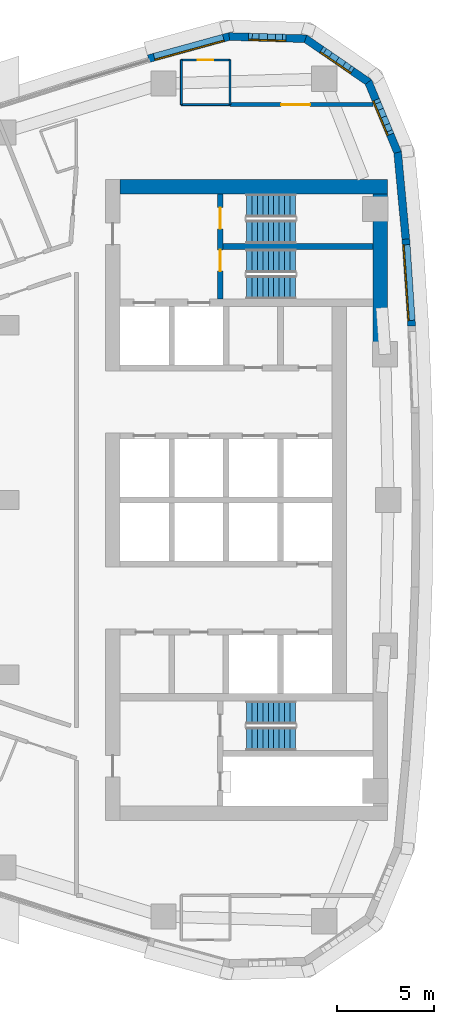
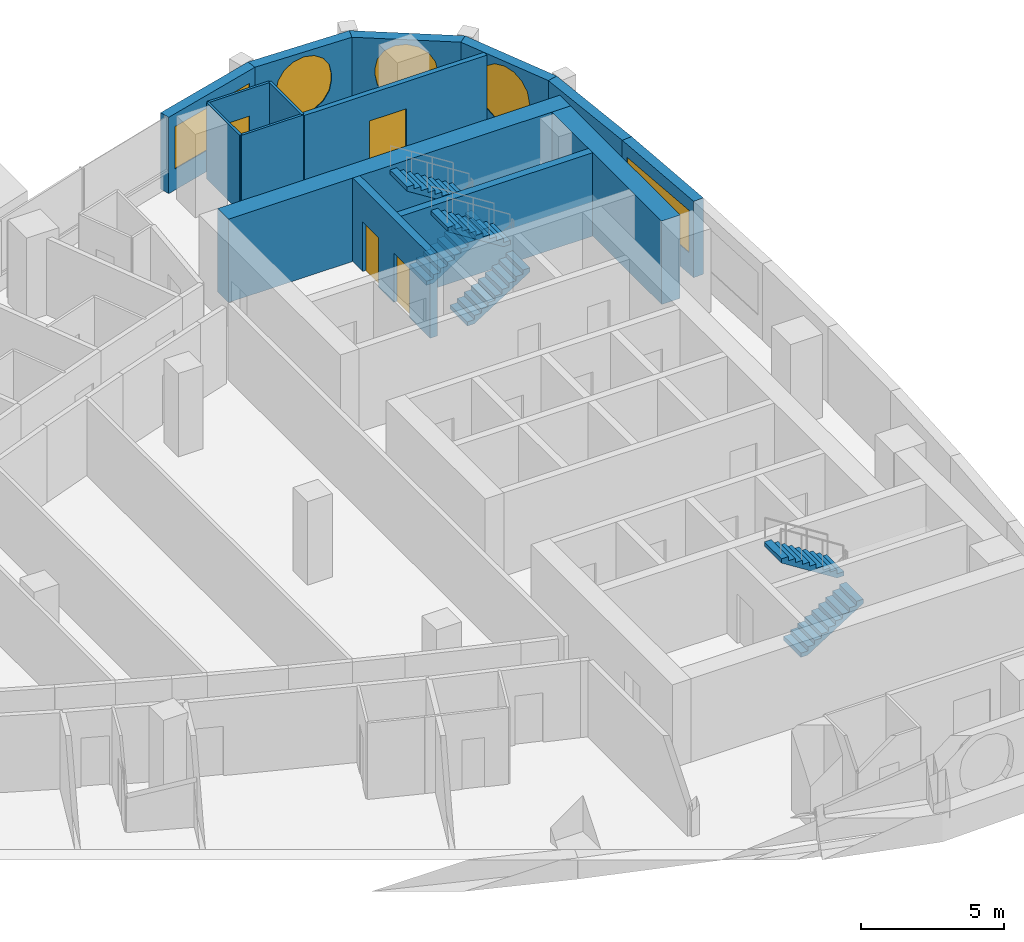
# One storey, part 13 of 17: 15 walls, 6 stair flights, 5 windows, 4 doors, 9 openings, 3 elements without a shape of their own.
"""IFC4 building model written with IfcOpenShell, lengths in metres."""

from ifc_helpers import new_model, si_unit, direction, frame, frame_2d, origin, place, context, subcontext, project, spatial, polyline, rectangle, outline, extrude, material, layer, layer_set, type_object, element, fill, aggregate, save


model = new_model("IFC4")

# Units and contexts
model_context = context("Model", 3, precision=1e-05, world=origin(), true_north=direction((0.0, 1.0)))
body_context = subcontext(model_context, "Body", "Model", "MODEL_VIEW")
ifc_project = project(units=[si_unit("LENGTHUNIT", "METRE"), si_unit("AREAUNIT", "SQUARE_METRE"), si_unit("VOLUMEUNIT", "CUBIC_METRE"), si_unit("PLANEANGLEUNIT", "RADIAN"), si_unit("MASSUNIT", "GRAM", prefix="KILO")], contexts=[model_context])

# Site, building, storey
site_placement = place(None, origin())
site = spatial("IfcSite", under=ifc_project, at=site_placement, CompositionType="ELEMENT")
building_placement = place(site_placement, origin())
building = spatial("IfcBuilding", under=site, at=building_placement, Name="Ostrand Prow Hotel Tower", CompositionType="ELEMENT")
storey_placement = place(building_placement, frame((0.0, 0.0, 203.89990234375)))
storey = spatial("IfcBuildingStorey", under=building, at=storey_placement, Name="L51", CompositionType="ELEMENT", Elevation=203.89990234375)

# Wall, openings, doors
ifc_material_1 = material(Name="Concrete C60/75", Category="concrete")
ifc_layer_1 = layer(ifc_material_1, 0.300048828125)
ifc_layer_set_1 = layer_set([ifc_layer_1], Name="Concrete C60/75")
wall_type_1 = type_object("IfcWallType", Name="Core wall 300 C60/75", PredefinedType="SHEAR", material=ifc_layer_set_1)
wall_1_placement = place(storey_placement, frame((55.85009765625, 10.35009765625, 0.0), z_axis=(0.0, 0.0, 1.0), x_axis=(0.0, 1.0, 0.0)))
wall_1 = element("IfcWall", 1, at=wall_1_placement, inside=storey, type_object=wall_type_1, Name="Core wall PW-VN", PredefinedType="SHEAR", context=body_context, shape_type="SweptSolid", body=[
    extrude(rectangle(XDim=5.39990234375, YDim=0.300048828125, at=frame_2d((2.699951171875, 0.0))), origin(), (0.0, 0.0, 1.0), 3.550048828125),
])
opening_1_placement = place(wall_1_placement, frame((1.429931640625, 0.0, 0.0)))
opening_1 = element("IfcOpeningElement", 2, at=opening_1_placement, cuts=wall_1, Name="Opening FD1", PredefinedType="OPENING", context=body_context, shape_type="SweptSolid", body=[
    extrude(rectangle(XDim=1.10009765625, YDim=2.10009765625, at=frame_2d((0.550048828125, 1.050048828125))), frame((0.0, 0.159912109375, 0.0), z_axis=(0.0, -1.0, 0.0), x_axis=(1.0, 0.0, 0.0)), (0.0, 0.0, 1.0), 0.320068359375),
])
opening_2_placement = place(wall_1_placement, frame((3.60009765625, 0.0, 0.0)))
opening_2 = element("IfcOpeningElement", 3, at=opening_2_placement, cuts=wall_1, Name="Opening FD1", PredefinedType="OPENING", context=body_context, shape_type="SweptSolid", body=[
    extrude(rectangle(XDim=1.10009765625, YDim=2.10009765625, at=frame_2d((0.550048828125, 1.050048828125))), frame((0.0, 0.159912109375, 0.0), z_axis=(0.0, -1.0, 0.0), x_axis=(1.0, 0.0, 0.0)), (0.0, 0.0, 1.0), 0.320068359375),
])
ifc_material_2 = material(Name="Steel fire door", Category="steel")
door_type_1 = type_object("IfcDoorType", Name="Fire door 1100 EI120", OperationType="SINGLE_SWING_RIGHT", PredefinedType="DOOR", material=ifc_material_2)
door_1_placement = place(opening_1_placement, origin())
door_1 = element("IfcDoor", 4, at=door_1_placement, inside=storey, type_object=door_type_1, Name="FIRE DOOR", OperationType="SINGLE_SWING_RIGHT", OverallHeight=2.10009765625, OverallWidth=1.10009765625, PredefinedType="DOOR", context=body_context, shape_type="SweptSolid", body=[
    extrude(rectangle(XDim=1.10009765625, YDim=2.10009765625, at=frame_2d((0.550048828125, 1.050048828125))), frame((0.0, 0.02490234375, 0.0), z_axis=(0.0, -1.0, 0.0), x_axis=(1.0, 0.0, 0.0)), (0.0, 0.0, 1.0), 0.050048828125),
])
fill(opening_1, door_1)
door_2_placement = place(opening_2_placement, origin())
door_2 = element("IfcDoor", 5, at=door_2_placement, inside=storey, type_object=door_type_1, Name="FIRE DOOR", OperationType="SINGLE_SWING_RIGHT", OverallHeight=2.10009765625, OverallWidth=1.10009765625, PredefinedType="DOOR", context=body_context, shape_type="SweptSolid", body=[
    extrude(rectangle(XDim=1.10009765625, YDim=2.10009765625, at=frame_2d((0.550048828125, 1.050048828125))), frame((0.0, 0.02490234375, 0.0), z_axis=(0.0, -1.0, 0.0), x_axis=(1.0, 0.0, 0.0)), (0.0, 0.0, 1.0), 0.050048828125),
])
fill(opening_2, door_2)

# Walls
wall_2_placement = place(storey_placement, frame((56.0, 13.050048828125, 0.0), z_axis=(0.0, 0.0, 1.0), x_axis=(1.0, 0.0, 0.0)))
element("IfcWall", 6, at=wall_2_placement, inside=storey, type_object=wall_type_1, Name="Core wall PW-ST13", PredefinedType="SHEAR", context=body_context, shape_type="SweptSolid", body=[
    extrude(rectangle(XDim=7.719970703125, YDim=0.300048828125, at=frame_2d((3.85986328125, 0.0))), origin(), (0.0, 0.0, 1.0), 3.550048828125),
])
ifc_material_3 = material(Name="Concrete C60/75", Category="concrete")
ifc_layer_2 = layer(ifc_material_3, 0.75)
ifc_layer_set_2 = layer_set([ifc_layer_2], Name="Concrete C60/75")
wall_type_2 = type_object("IfcWallType", Name="Core wall 750 C60/75", PredefinedType="SHEAR", material=ifc_layer_set_2)
wall_3_placement = place(storey_placement, frame((50.699951171875, 16.125, 0.0), z_axis=(0.0, 0.0, 1.0), x_axis=(1.0, 0.0, 0.0)))
element("IfcWall", 7, at=wall_3_placement, inside=storey, type_object=wall_type_2, Name="Core wall CW-N", PredefinedType="SHEAR", context=body_context, shape_type="SweptSolid", body=[
    extrude(rectangle(XDim=13.77001953125, YDim=0.75, at=frame_2d((6.885009765625, 0.0))), origin(), (0.0, 0.0, 1.0), 3.550048828125),
])
wall_4_placement = place(storey_placement, frame((64.094970703125, 8.09912109375, 0.0), z_axis=(0.0, 0.0, 1.0), x_axis=(0.0, 1.0, 0.0)))
element("IfcWall", 8, at=wall_4_placement, inside=storey, type_object=wall_type_2, Name="Core wall CW-E-N", PredefinedType="SHEAR", context=body_context, shape_type="SweptSolid", body=[
    extrude(rectangle(XDim=7.65087890625, YDim=0.75, at=frame_2d((3.825439453125, 0.0))), origin(), (0.0, 0.0, 1.0), 3.550048828125),
])

# Wall, opening, door
ifc_material_4 = material(Name="Plasterboard partition")
ifc_layer_3 = layer(ifc_material_4, 0.10009765625)
ifc_layer_set_3 = layer_set([ifc_layer_3], Name="Plasterboard partition")
wall_type_3 = type_object("IfcWallType", Name="Partition 100 bathroom wall", PredefinedType="PARTITIONING", material=ifc_layer_set_3)
wall_5_placement = place(storey_placement, frame((53.85009765625, 22.64990234375, 0.0), z_axis=(0.0, 0.0, 1.0), x_axis=(1.0, 0.0, 0.0)))
wall_5 = element("IfcWall", 9, at=wall_5_placement, inside=storey, type_object=wall_type_3, Name="BATHROOM WALL", PredefinedType="PARTITIONING", context=body_context, shape_type="SweptSolid", body=[
    extrude(rectangle(XDim=2.5, YDim=0.10009765625, at=frame_2d((1.25, 0.0))), origin(), (0.0, 0.0, 1.0), 3.25),
])
opening_3_placement = place(wall_5_placement, frame((0.85009765625, 0.0, 0.0)))
opening_3 = element("IfcOpeningElement", 10, at=opening_3_placement, cuts=wall_5, Name="Opening D2", PredefinedType="OPENING", context=body_context, shape_type="SweptSolid", body=[
    extrude(rectangle(XDim=0.800048828125, YDim=2.10009765625, at=frame_2d((0.39990234375, 1.050048828125))), frame((0.0, 0.06005859375, 0.0), z_axis=(0.0, -1.0, 0.0), x_axis=(1.0, 0.0, 0.0)), (0.0, 0.0, 1.0), 0.1201171875),
])
ifc_material_5 = material(Name="Timber door leaf", Category="wood")
door_type_2 = type_object("IfcDoorType", Name="Bathroom door 800", OperationType="SINGLE_SWING_LEFT", PredefinedType="DOOR", material=ifc_material_5)
door_3_placement = place(opening_3_placement, origin())
door_3 = element("IfcDoor", 11, at=door_3_placement, inside=storey, type_object=door_type_2, Name="DOOR", OperationType="SINGLE_SWING_LEFT", OverallHeight=2.10009765625, OverallWidth=0.800048828125, PredefinedType="DOOR", context=body_context, shape_type="SweptSolid", body=[
    extrude(rectangle(XDim=0.800048828125, YDim=2.10009765625, at=frame_2d((0.39990234375, 1.050048828125))), frame((0.0, 0.02490234375, 0.0), z_axis=(0.0, -1.0, 0.0), x_axis=(1.0, 0.0, 0.0)), (0.0, 0.0, 1.0), 0.050048828125),
])
fill(opening_3, door_3)

# Walls
for number, where, z_axis, x_axis, name in (
    (12, (56.35009765625, 22.64990234375, 0.0), (0.0, 0.0, 1.0), (0.0, -1.0, 0.0), "BATHROOM WALL"),
    (13, (53.85009765625, 20.35009765625, 0.0), (0.0, 0.0, 1.0), (0.0, 1.0, 0.0), "BATHROOM WALL"),
):
    element("IfcWall", number, at=place(storey_placement, frame(where, z_axis=z_axis, x_axis=x_axis)), inside=storey, type_object=wall_type_3, Name=name, PredefinedType="PARTITIONING", context=body_context, shape_type="SweptSolid", body=[
        extrude(rectangle(XDim=2.2998046875, YDim=0.10009765625, at=frame_2d((1.14990234375, 0.0))), origin(), (0.0, 0.0, 1.0), 3.25),
    ])
wall_6_placement = place(storey_placement, frame((56.35009765625, 20.35498046875, 0.0), z_axis=(0.0, 0.0, 1.0), x_axis=(-1.0, 0.0, 0.0)))
element("IfcWall", 14, at=wall_6_placement, inside=storey, type_object=wall_type_3, Name="BATHROOM WALL", PredefinedType="PARTITIONING", context=body_context, shape_type="SweptSolid", body=[
    extrude(rectangle(XDim=2.5, YDim=0.10009765625, at=frame_2d((1.25, 0.0))), origin(), (0.0, 0.0, 1.0), 3.25),
])

# Wall, opening, door
ifc_material_6 = material(Name="Plasterboard partition")
ifc_layer_4 = layer(ifc_material_6, 0.199951171875)
ifc_layer_set_4 = layer_set([ifc_layer_4], Name="Plasterboard partition")
wall_type_4 = type_object("IfcWallType", Name="Partition 200 corridor wall", PredefinedType="PARTITIONING", material=ifc_layer_set_4)
wall_7_placement = place(storey_placement, frame((63.70947265625, 20.35498046875, 0.0), z_axis=(0.0, 0.0, 1.0), x_axis=(-1.0, 0.0, 0.0)))
wall_7 = element("IfcWall", 15, at=wall_7_placement, inside=storey, type_object=wall_type_4, Name="CORRIDOR WALL", PredefinedType="PARTITIONING", context=body_context, shape_type="SweptSolid", body=[
    extrude(rectangle(XDim=7.3544921875, YDim=0.199951171875, at=frame_2d((3.67724609375, 0.0))), origin(), (0.0, 0.0, 1.0), 3.25),
])
opening_4_placement = place(wall_7_placement, frame((3.230712890625, 0.0, 0.0)))
opening_4 = element("IfcOpeningElement", 16, at=opening_4_placement, cuts=wall_7, Name="Opening D15", PredefinedType="OPENING", context=body_context, shape_type="SweptSolid", body=[
    extrude(rectangle(XDim=1.5, YDim=2.10009765625, at=frame_2d((0.75, 1.050048828125))), frame((0.0, 0.10986328125, 0.0), z_axis=(0.0, -1.0, 0.0), x_axis=(1.0, 0.0, 0.0)), (0.0, 0.0, 1.0), 0.219970703125),
])
ifc_material_7 = material(Name="Timber door leaf", Category="wood")
door_type_3 = type_object("IfcDoorType", Name="Double door 1500", OperationType="DOUBLE_DOOR_SINGLE_SWING", PredefinedType="DOOR", material=ifc_material_7)
door_4_placement = place(opening_4_placement, origin())
door_4 = element("IfcDoor", 17, at=door_4_placement, inside=storey, type_object=door_type_3, Name="DOOR", OperationType="DOUBLE_DOOR_SINGLE_SWING", OverallHeight=2.10009765625, OverallWidth=1.5, PredefinedType="DOOR", context=body_context, shape_type="SweptSolid", body=[
    extrude(rectangle(XDim=1.5, YDim=2.10009765625, at=frame_2d((0.75, 1.050048828125))), frame((0.0, 0.02490234375, 0.0), z_axis=(0.0, -1.0, 0.0), x_axis=(1.0, 0.0, 0.0)), (0.0, 0.0, 1.0), 0.050048828125),
])
fill(opening_4, door_4)

# Wall, opening, window
ifc_material_8 = material(Name="Precast concrete C40/50", Category="concrete")
ifc_layer_5 = layer(ifc_material_8, 0.39990234375)
ifc_layer_set_5 = layer_set([ifc_layer_5], Name="Precast concrete C40/50")
wall_type_5 = type_object("IfcWallType", Name="Stone-faced precast wall 400 mm", PredefinedType="NOTDEFINED", material=ifc_layer_set_5)
wall_8_placement = place(storey_placement, frame((65.700439453125, 8.957763671875, 0.0), z_axis=(0.0, 0.0, 1.0), x_axis=(-0.066905935948, 0.997759287471, 0.0)))
wall_8 = element("IfcWall", 18, at=wall_8_placement, inside=storey, type_object=wall_type_5, Name="Stone-faced wall back 11", PredefinedType="NOTDEFINED", context=body_context, shape_type="SweptSolid", body=[
    extrude(outline(polyline([(-0.002685546875, -0.199951171875), (4.483642578125, -0.199951171875), (4.478271484375, 0.199951171875), (0.002685546875, 0.199951171875), (-0.002685546875, -0.199951171875)])), origin(), (0.0, 0.0, 1.0), 3.25),
])
opening_5_placement = place(wall_8_placement, frame((0.290283203125, 0.0, 0.89990234375)))
opening_5 = element("IfcOpeningElement", 19, at=opening_5_placement, cuts=wall_8, Name="Opening WS3-39", PredefinedType="OPENING", context=body_context, shape_type="SweptSolid", body=[
    extrude(rectangle(XDim=3.89990234375, YDim=1.800048828125, at=frame_2d((1.949951171875, 0.89990234375))), frame((0.0, 0.2099609375, 0.0), z_axis=(0.0, -1.0, 0.0), x_axis=(1.0, 0.0, 0.0)), (0.0, 0.0, 1.0), 0.419921875),
])
ifc_material_9 = material(Name="Insulated glass in bronze frame", Category="glass")
window_type_1 = type_object("IfcWindowType", Name="Strip window 3900x1800", PartitioningType="SINGLE_PANEL", PredefinedType="WINDOW", material=ifc_material_9)
window_1_placement = place(opening_5_placement, origin())
window_1 = element("IfcWindow", 20, at=window_1_placement, inside=storey, type_object=window_type_1, Name="Window back 11.1", OverallHeight=1.800048828125, OverallWidth=3.89990234375, PartitioningType="SINGLE_PANEL", PredefinedType="WINDOW", context=body_context, shape_type="SweptSolid", body=[
    extrude(rectangle(XDim=3.89990234375, YDim=1.800048828125, at=frame_2d((1.949951171875, 0.89990234375))), frame((0.0, 0.169921875, 0.0), z_axis=(0.0, -1.0, 0.0), x_axis=(1.0, 0.0, 0.0)), (0.0, 0.0, 1.0), 0.06005859375),
])
fill(opening_5, window_1)

# Wall
wall_9_placement = place(storey_placement, frame((65.400634765625, 13.4287109375, 0.0), z_axis=(0.0, 0.0, 1.0), x_axis=(-0.093605694738, 0.995609348044, 0.0)))
element("IfcWall", 21, at=wall_9_placement, inside=storey, type_object=wall_type_5, Name="Stone-faced wall back 12", PredefinedType="NOTDEFINED", context=body_context, shape_type="SweptSolid", body=[
    extrude(outline(polyline([(-0.002685546875, -0.199951171875), (4.51123046875, -0.199951171875), (4.45068359375, 0.199951171875), (0.002685546875, 0.199951171875), (-0.002685546875, -0.199951171875)])), origin(), (0.0, 0.0, 1.0), 3.25),
])

# Wall, opening, window
wall_10_placement = place(storey_placement, frame((64.981201171875, 17.889892578125, 0.0), z_axis=(0.0, 0.0, 1.0), x_axis=(-0.383997619794, 0.923334082547, 0.0)))
wall_10 = element("IfcWall", 22, at=wall_10_placement, inside=storey, type_object=wall_type_5, Name="Stone-faced wall back 13", PredefinedType="NOTDEFINED", context=body_context, shape_type="SweptSolid", body=[
    extrude(outline(polyline([(-0.0302734375, -0.199951171875), (3.98828125, -0.199951171875), (3.8701171875, 0.199951171875), (0.0302734375, 0.199951171875), (-0.0302734375, -0.199951171875)])), origin(), (0.0, 0.0, 1.0), 3.25),
])
opening_6_placement = place(wall_10_placement, frame((0.864501953125, 0.0, 0.60009765625)))
opening_6 = element("IfcOpeningElement", 23, at=opening_6_placement, cuts=wall_10, Name="Opening WP1", PredefinedType="OPENING", context=body_context, shape_type="SweptSolid", body=[
    extrude(outline(polyline([(0.0, 1.35009765625), (0.083740234375, 1.77099609375), (0.322265625, 2.127685546875), (0.678955078125, 2.3662109375), (1.10009765625, 2.449951171875), (1.52099609375, 2.3662109375), (1.877685546875, 2.127685546875), (2.1162109375, 1.77099609375), (2.199951171875, 1.35009765625), (2.199951171875, 1.10009765625), (2.1162109375, 0.678955078125), (1.877685546875, 0.322265625), (1.52099609375, 0.083740234375), (1.10009765625, 0.0), (0.678955078125, 0.083740234375), (0.322265625, 0.322265625), (0.083740234375, 0.678955078125), (0.0, 1.099853515625), (0.0, 1.35009765625)])), frame((0.0, 0.2099609375, 0.0), z_axis=(0.0, -1.0, 0.0), x_axis=(1.0, 0.0, 0.0)), (0.0, 0.0, 1.0), 0.419921875),
])
ifc_material_10 = material(Name="Insulated glass in bronze frame", Category="glass")
window_type_2 = type_object("IfcWindowType", Name="Round-ended prow window 2200x2450", PartitioningType="SINGLE_PANEL", PredefinedType="WINDOW", material=ifc_material_10)
window_2_placement = place(opening_6_placement, origin())
window_2 = element("IfcWindow", 24, at=window_2_placement, inside=storey, type_object=window_type_2, Name="Window back 13.1", OverallHeight=2.449951171875, OverallWidth=2.199951171875, PartitioningType="SINGLE_PANEL", PredefinedType="WINDOW", context=body_context, shape_type="SweptSolid", body=[
    extrude(outline(polyline([(0.0, 1.35009765625), (0.083740234375, 1.77099609375), (0.322265625, 2.127685546875), (0.678955078125, 2.3662109375), (1.10009765625, 2.449951171875), (1.52099609375, 2.3662109375), (1.877685546875, 2.127685546875), (2.1162109375, 1.77099609375), (2.199951171875, 1.35009765625), (2.199951171875, 1.10009765625), (2.1162109375, 0.678955078125), (1.877685546875, 0.322265625), (1.52099609375, 0.083740234375), (1.10009765625, 0.0), (0.678955078125, 0.083740234375), (0.322265625, 0.322265625), (0.083740234375, 0.678955078125), (0.0, 1.099853515625), (0.0, 1.35009765625)])), frame((0.0, 0.169921875, 0.0), z_axis=(0.0, -1.0, 0.0), x_axis=(1.0, 0.0, 0.0)), (0.0, 0.0, 1.0), 0.06005859375),
])
fill(opening_6, window_2)

wall_11_placement = place(storey_placement, frame((63.472412109375, 21.517822265625, 0.0), z_axis=(0.0, 0.0, 1.0), x_axis=(-0.823806162588, 0.566871596115, 0.0)))
wall_11 = element("IfcWall", 25, at=wall_11_placement, inside=storey, type_object=wall_type_5, Name="Stone-faced wall back 14", PredefinedType="NOTDEFINED", context=body_context, shape_type="SweptSolid", body=[
    extrude(outline(polyline([(-0.05908203125, -0.199951171875), (3.98828125, -0.199951171875), (3.8701171875, 0.199951171875), (0.05908203125, 0.199951171875), (-0.05908203125, -0.199951171875)])), origin(), (0.0, 0.0, 1.0), 3.25),
])
opening_7_placement = place(wall_11_placement, frame((0.864501953125, 0.0, 0.60009765625)))
opening_7 = element("IfcOpeningElement", 26, at=opening_7_placement, cuts=wall_11, Name="Opening WP1", PredefinedType="OPENING", context=body_context, shape_type="SweptSolid", body=[
    extrude(outline(polyline([(0.0, 1.35009765625), (0.083740234375, 1.77099609375), (0.322265625, 2.127685546875), (0.678955078125, 2.3662109375), (1.10009765625, 2.449951171875), (1.52099609375, 2.3662109375), (1.877685546875, 2.127685546875), (2.1162109375, 1.77099609375), (2.199951171875, 1.35009765625), (2.199951171875, 1.10009765625), (2.1162109375, 0.678955078125), (1.877685546875, 0.322265625), (1.52099609375, 0.083740234375), (1.10009765625, 0.0), (0.678955078125, 0.083740234375), (0.322265625, 0.322265625), (0.083740234375, 0.678955078125), (0.0, 1.099853515625), (0.0, 1.35009765625)])), frame((0.0, 0.2099609375, 0.0), z_axis=(0.0, -1.0, 0.0), x_axis=(1.0, 0.0, 0.0)), (0.0, 0.0, 1.0), 0.419921875),
])
window_3_placement = place(opening_7_placement, origin())
window_3 = element("IfcWindow", 27, at=window_3_placement, inside=storey, type_object=window_type_2, Name="Window back 14.1", OverallHeight=2.449951171875, OverallWidth=2.199951171875, PartitioningType="SINGLE_PANEL", PredefinedType="WINDOW", context=body_context, shape_type="SweptSolid", body=[
    extrude(outline(polyline([(0.0, 1.35009765625), (0.083740234375, 1.77099609375), (0.322265625, 2.127685546875), (0.678955078125, 2.3662109375), (1.10009765625, 2.449951171875), (1.52099609375, 2.3662109375), (1.877685546875, 2.127685546875), (2.1162109375, 1.77099609375), (2.199951171875, 1.35009765625), (2.199951171875, 1.10009765625), (2.1162109375, 0.678955078125), (1.877685546875, 0.322265625), (1.52099609375, 0.083740234375), (1.10009765625, 0.0), (0.678955078125, 0.083740234375), (0.322265625, 0.322265625), (0.083740234375, 0.678955078125), (0.0, 1.099853515625), (0.0, 1.35009765625)])), frame((0.0, 0.169921875, 0.0), z_axis=(0.0, -1.0, 0.0), x_axis=(1.0, 0.0, 0.0)), (0.0, 0.0, 1.0), 0.06005859375),
])
fill(opening_7, window_3)

wall_12_placement = place(storey_placement, frame((60.235595703125, 23.7451171875, 0.0), z_axis=(0.0, 0.0, 1.0), x_axis=(-0.999587920197, 0.028705222472, 0.0)))
wall_12 = element("IfcWall", 28, at=wall_12_placement, inside=storey, type_object=wall_type_5, Name="Stone-faced wall back 15", PredefinedType="NOTDEFINED", context=body_context, shape_type="SweptSolid", body=[
    extrude(outline(polyline([(-0.05908203125, -0.199951171875), (3.959228515625, -0.199951171875), (3.899658203125, 0.199951171875), (0.05908203125, 0.199951171875), (-0.05908203125, -0.199951171875)])), origin(), (0.0, 0.0, 1.0), 3.25),
])
opening_8_placement = place(wall_12_placement, frame((0.864501953125, 0.0, 0.60009765625)))
opening_8 = element("IfcOpeningElement", 29, at=opening_8_placement, cuts=wall_12, Name="Opening WP1", PredefinedType="OPENING", context=body_context, shape_type="SweptSolid", body=[
    extrude(outline(polyline([(0.0, 1.35009765625), (0.083740234375, 1.77099609375), (0.322265625, 2.127685546875), (0.678955078125, 2.3662109375), (1.10009765625, 2.449951171875), (1.52099609375, 2.3662109375), (1.877685546875, 2.127685546875), (2.1162109375, 1.77099609375), (2.199951171875, 1.35009765625), (2.199951171875, 1.10009765625), (2.1162109375, 0.678955078125), (1.877685546875, 0.322265625), (1.52099609375, 0.083740234375), (1.10009765625, 0.0), (0.678955078125, 0.083740234375), (0.322265625, 0.322265625), (0.083740234375, 0.678955078125), (0.0, 1.099853515625), (0.0, 1.35009765625)])), frame((0.0, 0.2099609375, 0.0), z_axis=(0.0, -1.0, 0.0), x_axis=(1.0, 0.0, 0.0)), (0.0, 0.0, 1.0), 0.419921875),
])
window_4_placement = place(opening_8_placement, origin())
window_4 = element("IfcWindow", 30, at=window_4_placement, inside=storey, type_object=window_type_2, Name="Window back 15.1", OverallHeight=2.449951171875, OverallWidth=2.199951171875, PartitioningType="SINGLE_PANEL", PredefinedType="WINDOW", context=body_context, shape_type="SweptSolid", body=[
    extrude(outline(polyline([(0.0, 1.35009765625), (0.083740234375, 1.77099609375), (0.322265625, 2.127685546875), (0.678955078125, 2.3662109375), (1.10009765625, 2.449951171875), (1.52099609375, 2.3662109375), (1.877685546875, 2.127685546875), (2.1162109375, 1.77099609375), (2.199951171875, 1.35009765625), (2.199951171875, 1.10009765625), (2.1162109375, 0.678955078125), (1.877685546875, 0.322265625), (1.52099609375, 0.083740234375), (1.10009765625, 0.0), (0.678955078125, 0.083740234375), (0.322265625, 0.322265625), (0.083740234375, 0.678955078125), (0.0, 1.099853515625), (0.0, 1.35009765625)])), frame((0.0, 0.169921875, 0.0), z_axis=(0.0, -1.0, 0.0), x_axis=(1.0, 0.0, 0.0)), (0.0, 0.0, 1.0), 0.06005859375),
])
fill(opening_8, window_4)

wall_13_placement = place(storey_placement, frame((56.307861328125, 23.85791015625, 0.0), z_axis=(0.0, 0.0, 1.0), x_axis=(-0.964205755089, -0.265155165617, 0.0)))
wall_13 = element("IfcWall", 31, at=wall_13_placement, inside=storey, type_object=wall_type_5, Name="Stone-faced wall back 16", PredefinedType="NOTDEFINED", context=body_context, shape_type="SweptSolid", body=[
    extrude(outline(polyline([(-0.02978515625, -0.199951171875), (4.30712890625, -0.199951171875), (4.30712890625, 0.199951171875), (0.02978515625, 0.199951171875), (-0.02978515625, -0.199951171875)])), origin(), (0.0, 0.0, 1.0), 3.25),
])
opening_9_placement = place(wall_13_placement, frame((0.303466796875, 0.0, 0.89990234375)))
opening_9 = element("IfcOpeningElement", 32, at=opening_9_placement, cuts=wall_13, Name="Opening WS3-37", PredefinedType="OPENING", context=body_context, shape_type="SweptSolid", body=[
    extrude(rectangle(XDim=3.699951171875, YDim=1.800048828125, at=frame_2d((1.85009765625, 0.89990234375))), frame((0.0, 0.2099609375, 0.0), z_axis=(0.0, -1.0, 0.0), x_axis=(1.0, 0.0, 0.0)), (0.0, 0.0, 1.0), 0.419921875),
])
ifc_material_11 = material(Name="Insulated glass in bronze frame", Category="glass")
window_type_3 = type_object("IfcWindowType", Name="Strip window 3700x1800", PartitioningType="SINGLE_PANEL", PredefinedType="WINDOW", material=ifc_material_11)
window_5_placement = place(opening_9_placement, origin())
window_5 = element("IfcWindow", 33, at=window_5_placement, inside=storey, type_object=window_type_3, Name="Window back 16.1", OverallHeight=1.800048828125, OverallWidth=3.699951171875, PartitioningType="SINGLE_PANEL", PredefinedType="WINDOW", context=body_context, shape_type="SweptSolid", body=[
    extrude(rectangle(XDim=3.699951171875, YDim=1.800048828125, at=frame_2d((1.85009765625, 0.89990234375))), frame((0.0, 0.169921875, 0.0), z_axis=(0.0, -1.0, 0.0), x_axis=(1.0, 0.0, 0.0)), (0.0, 0.0, 1.0), 0.06005859375),
])
fill(opening_9, window_5)

# Stair, stair flights
ifc_material_12 = material(Name="Concrete C40/50", Category="concrete")
stair_type = type_object("IfcStairType", Name="Exit stair 1200 upper zone", PredefinedType="HALF_TURN_STAIR", material=ifc_material_12)
stair_1_placement = place(storey_placement, origin())
stair_1 = element("IfcStair", 34, at=stair_1_placement, inside=storey, type_object=stair_type, Name="L51 ST1C", PredefinedType="HALF_TURN_STAIR")
ifc_material_13 = material(Name="Concrete C40/50", Category="concrete")
stair_flight_type = type_object("IfcStairFlightType", Name="Stair flight 1200 concrete", PredefinedType="STRAIGHT", material=ifc_material_13)
stair_flight_1_placement = place(storey_placement, frame((57.199951171875, 10.949951171875, 0.0), z_axis=(0.0, 0.0, 1.0), x_axis=(1.0, 0.0, 0.0)))
stair_flight_1 = element("IfcStairFlight", 35, at=stair_flight_1_placement, type_object=stair_flight_type, Name="ST1C flight 1", NumberOfRisers=10, NumberOfTreads=9, PredefinedType="STRAIGHT", RiserHeight=0.1775, TreadLength=0.28, context=body_context, shape_type="SweptSolid", body=[
    extrude(outline(polyline([(0.0, 0.0), (0.0, 0.177490234375), (0.280029296875, 0.177490234375), (0.280029296875, 0.35498046875), (0.56005859375, 0.35498046875), (0.56005859375, 0.532470703125), (0.840087890625, 0.532470703125), (0.840087890625, 0.7099609375), (1.1201171875, 0.7099609375), (1.1201171875, 0.887451171875), (1.39990234375, 0.887451171875), (1.39990234375, 1.06494140625), (1.679931640625, 1.06494140625), (1.679931640625, 1.242431640625), (1.9599609375, 1.242431640625), (1.9599609375, 1.419921875), (2.239990234375, 1.419921875), (2.239990234375, 1.597412109375), (2.52001953125, 1.597412109375), (2.52001953125, 1.77490234375), (2.52001953125, 1.419921875), (0.280029296875, 0.0), (0.0, 0.0)])), frame((0.0, 0.60009765625, 0.0), z_axis=(0.0, -1.0, 0.0), x_axis=(1.0, 0.0, 0.0)), (0.0, 0.0, 1.0), 1.199951171875),
])
stair_flight_2_placement = place(storey_placement, frame((59.719970703125, 12.300048828125, 1.775146484375), z_axis=(0.0, 0.0, 1.0), x_axis=(-1.0, 0.0, 0.0)))
stair_flight_2 = element("IfcStairFlight", 36, at=stair_flight_2_placement, type_object=stair_flight_type, Name="ST1C flight 2", NumberOfRisers=10, NumberOfTreads=9, PredefinedType="STRAIGHT", RiserHeight=0.1775, TreadLength=0.28, context=body_context, shape_type="SweptSolid", body=[
    extrude(outline(polyline([(0.0, 0.0), (0.0, 0.177490234375), (0.280029296875, 0.177490234375), (0.280029296875, 0.35498046875), (0.56005859375, 0.35498046875), (0.56005859375, 0.532470703125), (0.840087890625, 0.532470703125), (0.840087890625, 0.7099609375), (1.1201171875, 0.7099609375), (1.1201171875, 0.887451171875), (1.39990234375, 0.887451171875), (1.39990234375, 1.06494140625), (1.679931640625, 1.06494140625), (1.679931640625, 1.242431640625), (1.9599609375, 1.242431640625), (1.9599609375, 1.419921875), (2.239990234375, 1.419921875), (2.239990234375, 1.597412109375), (2.52001953125, 1.597412109375), (2.52001953125, 1.77490234375), (2.52001953125, 1.419921875), (0.280029296875, 0.0), (0.0, 0.0)])), frame((0.0, 0.60009765625, 0.0), z_axis=(0.0, -1.0, 0.0), x_axis=(1.0, 0.0, 0.0)), (0.0, 0.0, 1.0), 1.199951171875),
])
aggregate(stair_1, [stair_flight_1, stair_flight_2])

stair_2_placement = place(storey_placement, origin())
stair_2 = element("IfcStair", 37, at=stair_2_placement, inside=storey, type_object=stair_type, Name="L51 ST3C", PredefinedType="HALF_TURN_STAIR")
stair_flight_3_placement = place(storey_placement, frame((57.199951171875, 13.800048828125, 0.0), z_axis=(0.0, 0.0, 1.0), x_axis=(1.0, 0.0, 0.0)))
stair_flight_3 = element("IfcStairFlight", 38, at=stair_flight_3_placement, type_object=stair_flight_type, Name="ST3C flight 1", NumberOfRisers=10, NumberOfTreads=9, PredefinedType="STRAIGHT", RiserHeight=0.1775, TreadLength=0.28, context=body_context, shape_type="SweptSolid", body=[
    extrude(outline(polyline([(0.0, 0.0), (0.0, 0.177490234375), (0.280029296875, 0.177490234375), (0.280029296875, 0.35498046875), (0.56005859375, 0.35498046875), (0.56005859375, 0.532470703125), (0.840087890625, 0.532470703125), (0.840087890625, 0.7099609375), (1.1201171875, 0.7099609375), (1.1201171875, 0.887451171875), (1.39990234375, 0.887451171875), (1.39990234375, 1.06494140625), (1.679931640625, 1.06494140625), (1.679931640625, 1.242431640625), (1.9599609375, 1.242431640625), (1.9599609375, 1.419921875), (2.239990234375, 1.419921875), (2.239990234375, 1.597412109375), (2.52001953125, 1.597412109375), (2.52001953125, 1.77490234375), (2.52001953125, 1.419921875), (0.280029296875, 0.0), (0.0, 0.0)])), frame((0.0, 0.60009765625, 0.0), z_axis=(0.0, -1.0, 0.0), x_axis=(1.0, 0.0, 0.0)), (0.0, 0.0, 1.0), 1.199951171875),
])
stair_flight_4_placement = place(storey_placement, frame((59.719970703125, 15.14990234375, 1.775146484375), z_axis=(0.0, 0.0, 1.0), x_axis=(-1.0, 0.0, 0.0)))
stair_flight_4 = element("IfcStairFlight", 39, at=stair_flight_4_placement, type_object=stair_flight_type, Name="ST3C flight 2", NumberOfRisers=10, NumberOfTreads=9, PredefinedType="STRAIGHT", RiserHeight=0.1775, TreadLength=0.28, context=body_context, shape_type="SweptSolid", body=[
    extrude(outline(polyline([(0.0, 0.0), (0.0, 0.177490234375), (0.280029296875, 0.177490234375), (0.280029296875, 0.35498046875), (0.56005859375, 0.35498046875), (0.56005859375, 0.532470703125), (0.840087890625, 0.532470703125), (0.840087890625, 0.7099609375), (1.1201171875, 0.7099609375), (1.1201171875, 0.887451171875), (1.39990234375, 0.887451171875), (1.39990234375, 1.06494140625), (1.679931640625, 1.06494140625), (1.679931640625, 1.242431640625), (1.9599609375, 1.242431640625), (1.9599609375, 1.419921875), (2.239990234375, 1.419921875), (2.239990234375, 1.597412109375), (2.52001953125, 1.597412109375), (2.52001953125, 1.77490234375), (2.52001953125, 1.419921875), (0.280029296875, 0.0), (0.0, 0.0)])), frame((0.0, 0.60009765625, 0.0), z_axis=(0.0, -1.0, 0.0), x_axis=(1.0, 0.0, 0.0)), (0.0, 0.0, 1.0), 1.199951171875),
])
aggregate(stair_2, [stair_flight_3, stair_flight_4])

stair_3_placement = place(storey_placement, origin())
stair_3 = element("IfcStair", 40, at=stair_3_placement, inside=storey, type_object=stair_type, Name="L51 ST2C", PredefinedType="HALF_TURN_STAIR")
stair_flight_5_placement = place(storey_placement, frame((57.199951171875, -12.300048828125, 0.0), z_axis=(0.0, 0.0, 1.0), x_axis=(1.0, 0.0, 0.0)))
stair_flight_5 = element("IfcStairFlight", 41, at=stair_flight_5_placement, type_object=stair_flight_type, Name="ST2C flight 1", NumberOfRisers=10, NumberOfTreads=9, PredefinedType="STRAIGHT", RiserHeight=0.1775, TreadLength=0.28, context=body_context, shape_type="SweptSolid", body=[
    extrude(outline(polyline([(0.0, 0.0), (0.0, 0.177490234375), (0.280029296875, 0.177490234375), (0.280029296875, 0.35498046875), (0.56005859375, 0.35498046875), (0.56005859375, 0.532470703125), (0.840087890625, 0.532470703125), (0.840087890625, 0.7099609375), (1.1201171875, 0.7099609375), (1.1201171875, 0.887451171875), (1.39990234375, 0.887451171875), (1.39990234375, 1.06494140625), (1.679931640625, 1.06494140625), (1.679931640625, 1.242431640625), (1.9599609375, 1.242431640625), (1.9599609375, 1.419921875), (2.239990234375, 1.419921875), (2.239990234375, 1.597412109375), (2.52001953125, 1.597412109375), (2.52001953125, 1.77490234375), (2.52001953125, 1.419921875), (0.280029296875, 0.0), (0.0, 0.0)])), frame((0.0, 0.60009765625, 0.0), z_axis=(0.0, -1.0, 0.0), x_axis=(1.0, 0.0, 0.0)), (0.0, 0.0, 1.0), 1.199951171875),
])
stair_flight_6_placement = place(storey_placement, frame((59.719970703125, -10.949951171875, 1.775146484375), z_axis=(0.0, 0.0, 1.0), x_axis=(-1.0, 0.0, 0.0)))
stair_flight_6 = element("IfcStairFlight", 42, at=stair_flight_6_placement, type_object=stair_flight_type, Name="ST2C flight 2", NumberOfRisers=10, NumberOfTreads=9, PredefinedType="STRAIGHT", RiserHeight=0.1775, TreadLength=0.28, context=body_context, shape_type="SweptSolid", body=[
    extrude(outline(polyline([(0.0, 0.0), (0.0, 0.177490234375), (0.280029296875, 0.177490234375), (0.280029296875, 0.35498046875), (0.56005859375, 0.35498046875), (0.56005859375, 0.532470703125), (0.840087890625, 0.532470703125), (0.840087890625, 0.7099609375), (1.1201171875, 0.7099609375), (1.1201171875, 0.887451171875), (1.39990234375, 0.887451171875), (1.39990234375, 1.06494140625), (1.679931640625, 1.06494140625), (1.679931640625, 1.242431640625), (1.9599609375, 1.242431640625), (1.9599609375, 1.419921875), (2.239990234375, 1.419921875), (2.239990234375, 1.597412109375), (2.52001953125, 1.597412109375), (2.52001953125, 1.77490234375), (2.52001953125, 1.419921875), (0.280029296875, 0.0), (0.0, 0.0)])), frame((0.0, 0.60009765625, 0.0), z_axis=(0.0, -1.0, 0.0), x_axis=(1.0, 0.0, 0.0)), (0.0, 0.0, 1.0), 1.199951171875),
])
aggregate(stair_3, [stair_flight_5, stair_flight_6])

save(model, "model.ifc")
